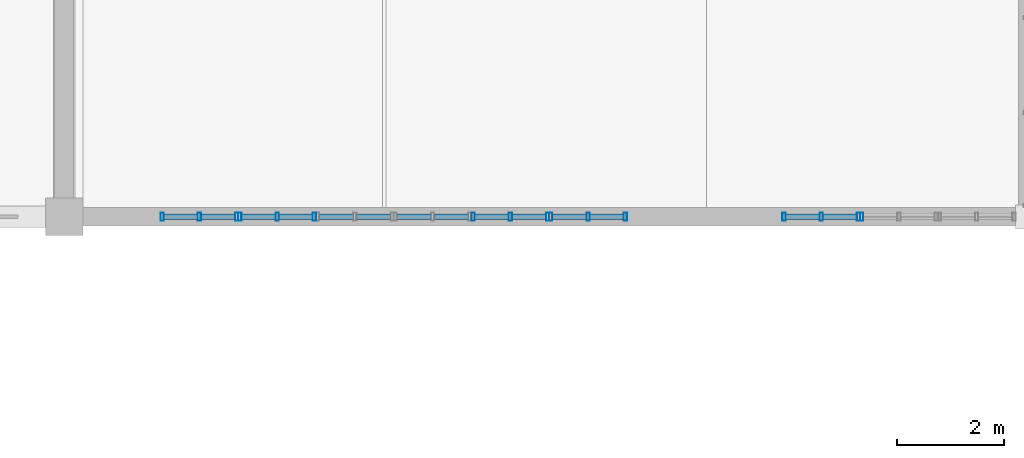
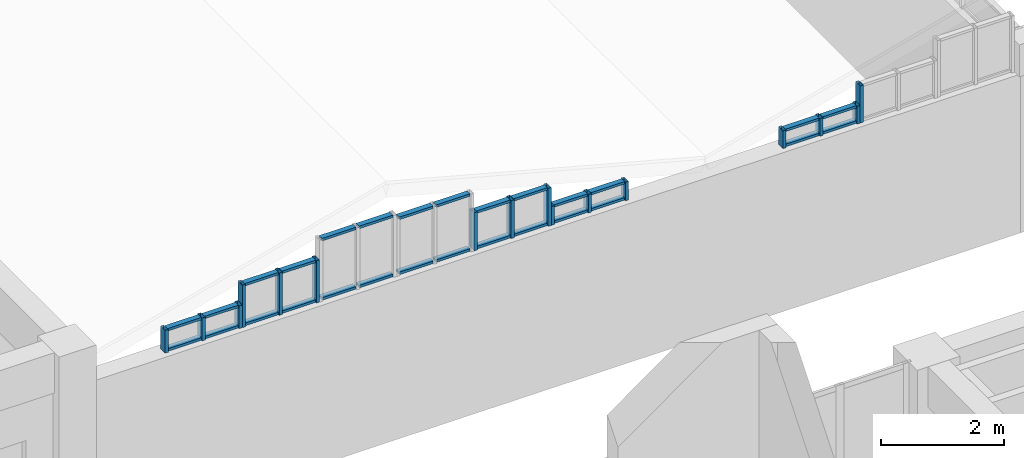
# One storey, part 45 of 92: 44 members, 8 elements without a shape of their own.
"""IFC4 building model written with IfcOpenShell, lengths in metres."""

from ifc_helpers import new_model, si_unit, direction, frame, origin, origin_2d, place, context, subcontext, project, spatial, hollow_rectangle, extrude, material, material_profile, profile_set, type_object, element, aggregate, save


model = new_model("IFC4")

# Units and contexts
model_context = context("Model", 3, precision=1e-05, world=origin(), true_north=direction((0.0, 1.0)))
body_context = subcontext(model_context, "Body", "Model", "MODEL_VIEW")
ifc_project = project(units=[si_unit("LENGTHUNIT", "METRE"), si_unit("AREAUNIT", "SQUARE_METRE"), si_unit("VOLUMEUNIT", "CUBIC_METRE"), si_unit("PLANEANGLEUNIT", "RADIAN"), si_unit("MASSUNIT", "GRAM", prefix="KILO")], contexts=[model_context])

# Site, building, storey
site_placement = place(None, origin())
site = spatial("IfcSite", under=ifc_project, at=site_placement, CompositionType="ELEMENT")
building_placement = place(site_placement, origin())
building = spatial("IfcBuilding", under=site, at=building_placement, Name="Laocheng Heights Fire and Rescue Headquarters", CompositionType="ELEMENT")
storey_placement = place(building_placement, frame((0.0, 0.0, 12.60009765625)))
storey = spatial("IfcBuildingStorey", under=building, at=storey_placement, Name="L03", CompositionType="ELEMENT", Elevation=12.60009765625)

# Curtain wall, members
ifc_material_1 = material(Name="Dark anodised aluminium unitised curtain wall, low-e double glazing", Category="aluminium")
curtain_wall_type_1 = type_object("IfcCurtainWallType", Name="CW 1452 x 453 THEATRE GABLE UNIT", PredefinedType="NOTDEFINED", material=ifc_material_1)
curtain_wall_1_placement = place(storey_placement, origin())
curtain_wall_1 = element("IfcCurtainWall", 1, at=curtain_wall_1_placement, inside=storey, type_object=curtain_wall_type_1, Name="X6-V THEATRE SOUTH GABLE 2", PredefinedType="NOTDEFINED")
ifc_material_2 = material(Name="Dark anodised aluminium 6063-T5 extrusion", Category="aluminium")
ifc_material_profile_1 = material_profile(ifc_material_2, hollow_rectangle(XDim=0.14990234375, YDim=0.06005859375, WallThickness=0.0029296875, at=origin_2d()), Name="AL MULLION 150x60x3 THEATRE GABLE UNIT")
ifc_profile_set_1 = profile_set([ifc_material_profile_1], Name="Dark anodised aluminium 6063-T5 extrusion")
member_type_1 = type_object("IfcMemberType", Name="AL MULLION 150x60x3 THEATRE GABLE UNIT", PredefinedType="MULLION", material=ifc_profile_set_1)
member_1_placement = place(storey_placement, frame((13.83203125, 36.0, 3.158447265625), z_axis=(0.0, 0.0, 1.0), x_axis=(0.0, 1.0, 0.0)))
member_1 = element("IfcMember", 2, at=member_1_placement, type_object=member_type_1, Name="X6-V mullion 1", PredefinedType="MULLION", context=body_context, shape_type="SweptSolid", body=[
    extrude(hollow_rectangle(XDim=0.14990234375, YDim=0.06005859375, WallThickness=0.0029296875, at=origin_2d()), origin(), (0.0, 0.0, 1.0), 0.453369140625),
])
member_2_placement = place(storey_placement, frame((14.528076171875, 36.0, 3.158447265625), z_axis=(0.0, 0.0, 1.0), x_axis=(0.0, 1.0, 0.0)))
member_2 = element("IfcMember", 3, at=member_2_placement, type_object=member_type_1, Name="X6-V mullion 2", PredefinedType="MULLION", context=body_context, shape_type="SweptSolid", body=[
    extrude(hollow_rectangle(XDim=0.14990234375, YDim=0.06005859375, WallThickness=0.0029296875, at=origin_2d()), origin(), (0.0, 0.0, 1.0), 0.453369140625),
])
member_3_placement = place(storey_placement, frame((15.22412109375, 36.0, 3.158447265625), z_axis=(0.0, 0.0, 1.0), x_axis=(0.0, 1.0, 0.0)))
member_3 = element("IfcMember", 4, at=member_3_placement, type_object=member_type_1, Name="X6-V mullion 3", PredefinedType="MULLION", context=body_context, shape_type="SweptSolid", body=[
    extrude(hollow_rectangle(XDim=0.14990234375, YDim=0.06005859375, WallThickness=0.0029296875, at=origin_2d()), origin(), (0.0, 0.0, 1.0), 0.453369140625),
])

ifc_material_3 = material(Name="Dark anodised aluminium unitised curtain wall, low-e double glazing", Category="aluminium")
curtain_wall_type_2 = type_object("IfcCurtainWallType", Name="CW 1452 x 841 THEATRE GABLE UNIT", PredefinedType="NOTDEFINED", material=ifc_material_3)
curtain_wall_2_placement = place(storey_placement, origin())
curtain_wall_2 = element("IfcCurtainWall", 5, at=curtain_wall_2_placement, inside=storey, type_object=curtain_wall_type_2, Name="X7-V THEATRE SOUTH GABLE 3", PredefinedType="NOTDEFINED")
member_4_placement = place(storey_placement, frame((15.2841796875, 36.0, 3.158447265625), z_axis=(0.0, 0.0, 1.0), x_axis=(0.0, 1.0, 0.0)))
member_4 = element("IfcMember", 6, at=member_4_placement, type_object=member_type_1, Name="X7-V mullion 1", PredefinedType="MULLION", context=body_context, shape_type="SweptSolid", body=[
    extrude(hollow_rectangle(XDim=0.14990234375, YDim=0.06005859375, WallThickness=0.0029296875, at=origin_2d()), origin(), (0.0, 0.0, 1.0), 0.840576171875),
])
member_5_placement = place(storey_placement, frame((15.980224609375, 36.0, 3.158447265625), z_axis=(0.0, 0.0, 1.0), x_axis=(0.0, 1.0, 0.0)))
member_5 = element("IfcMember", 7, at=member_5_placement, type_object=member_type_1, Name="X7-V mullion 2", PredefinedType="MULLION", context=body_context, shape_type="SweptSolid", body=[
    extrude(hollow_rectangle(XDim=0.14990234375, YDim=0.06005859375, WallThickness=0.0029296875, at=origin_2d()), origin(), (0.0, 0.0, 1.0), 0.840576171875),
])
member_6_placement = place(storey_placement, frame((16.67626953125, 36.0, 3.158447265625), z_axis=(0.0, 0.0, 1.0), x_axis=(0.0, 1.0, 0.0)))
member_6 = element("IfcMember", 8, at=member_6_placement, type_object=member_type_1, Name="X7-V mullion 3", PredefinedType="MULLION", context=body_context, shape_type="SweptSolid", body=[
    extrude(hollow_rectangle(XDim=0.14990234375, YDim=0.06005859375, WallThickness=0.0029296875, at=origin_2d()), origin(), (0.0, 0.0, 1.0), 0.840576171875),
])

ifc_material_4 = material(Name="Dark anodised aluminium unitised curtain wall, low-e double glazing", Category="aluminium")
curtain_wall_type_3 = type_object("IfcCurtainWallType", Name="CW 1452 x 756 THEATRE GABLE UNIT", PredefinedType="NOTDEFINED", material=ifc_material_4)
curtain_wall_3_placement = place(storey_placement, origin())
curtain_wall_3 = element("IfcCurtainWall", 9, at=curtain_wall_3_placement, inside=storey, type_object=curtain_wall_type_3, Name="X10-V THEATRE SOUTH GABLE 6", PredefinedType="NOTDEFINED")
member_7_placement = place(storey_placement, frame((19.640380859375, 36.0, 3.158447265625), z_axis=(0.0, 0.0, 1.0), x_axis=(0.0, 1.0, 0.0)))
member_7 = element("IfcMember", 10, at=member_7_placement, type_object=member_type_1, Name="X10-V mullion 1", PredefinedType="MULLION", context=body_context, shape_type="SweptSolid", body=[
    extrude(hollow_rectangle(XDim=0.14990234375, YDim=0.06005859375, WallThickness=0.0029296875, at=origin_2d()), origin(), (0.0, 0.0, 1.0), 0.756103515625),
])
member_8_placement = place(storey_placement, frame((20.33642578125, 36.0, 3.158447265625), z_axis=(0.0, 0.0, 1.0), x_axis=(0.0, 1.0, 0.0)))
member_8 = element("IfcMember", 11, at=member_8_placement, type_object=member_type_1, Name="X10-V mullion 2", PredefinedType="MULLION", context=body_context, shape_type="SweptSolid", body=[
    extrude(hollow_rectangle(XDim=0.14990234375, YDim=0.06005859375, WallThickness=0.0029296875, at=origin_2d()), origin(), (0.0, 0.0, 1.0), 0.756103515625),
])
member_9_placement = place(storey_placement, frame((21.032470703125, 36.0, 3.158447265625), z_axis=(0.0, 0.0, 1.0), x_axis=(0.0, 1.0, 0.0)))
member_9 = element("IfcMember", 12, at=member_9_placement, type_object=member_type_1, Name="X10-V mullion 3", PredefinedType="MULLION", context=body_context, shape_type="SweptSolid", body=[
    extrude(hollow_rectangle(XDim=0.14990234375, YDim=0.06005859375, WallThickness=0.0029296875, at=origin_2d()), origin(), (0.0, 0.0, 1.0), 0.756103515625),
])

ifc_material_5 = material(Name="Dark anodised aluminium unitised curtain wall, low-e double glazing", Category="aluminium")
curtain_wall_type_4 = type_object("IfcCurtainWallType", Name="CW 1452 x 369 THEATRE GABLE UNIT", PredefinedType="NOTDEFINED", material=ifc_material_5)
curtain_wall_4_placement = place(storey_placement, origin())
curtain_wall_4 = element("IfcCurtainWall", 13, at=curtain_wall_4_placement, inside=storey, type_object=curtain_wall_type_4, Name="X11-V THEATRE SOUTH GABLE 7", PredefinedType="NOTDEFINED")
member_10_placement = place(storey_placement, frame((21.092529296875, 36.0, 3.158447265625), z_axis=(0.0, 0.0, 1.0), x_axis=(0.0, 1.0, 0.0)))
member_10 = element("IfcMember", 14, at=member_10_placement, type_object=member_type_1, Name="X11-V mullion 1", PredefinedType="MULLION", context=body_context, shape_type="SweptSolid", body=[
    extrude(hollow_rectangle(XDim=0.14990234375, YDim=0.06005859375, WallThickness=0.0029296875, at=origin_2d()), origin(), (0.0, 0.0, 1.0), 0.368896484375),
])
member_11_placement = place(storey_placement, frame((21.78857421875, 36.0, 3.158447265625), z_axis=(0.0, 0.0, 1.0), x_axis=(0.0, 1.0, 0.0)))
member_11 = element("IfcMember", 15, at=member_11_placement, type_object=member_type_1, Name="X11-V mullion 2", PredefinedType="MULLION", context=body_context, shape_type="SweptSolid", body=[
    extrude(hollow_rectangle(XDim=0.14990234375, YDim=0.06005859375, WallThickness=0.0029296875, at=origin_2d()), origin(), (0.0, 0.0, 1.0), 0.368896484375),
])
member_12_placement = place(storey_placement, frame((22.484619140625, 36.0, 3.158447265625), z_axis=(0.0, 0.0, 1.0), x_axis=(0.0, 1.0, 0.0)))
member_12 = element("IfcMember", 16, at=member_12_placement, type_object=member_type_1, Name="X11-V mullion 3", PredefinedType="MULLION", context=body_context, shape_type="SweptSolid", body=[
    extrude(hollow_rectangle(XDim=0.14990234375, YDim=0.06005859375, WallThickness=0.0029296875, at=origin_2d()), origin(), (0.0, 0.0, 1.0), 0.368896484375),
])

ifc_material_6 = material(Name="Dark anodised aluminium unitised curtain wall, low-e double glazing", Category="aluminium")
curtain_wall_type_5 = type_object("IfcCurtainWallType", Name="CW 1452 x 351 THEATRE GABLE UNIT", PredefinedType="NOTDEFINED", material=ifc_material_6)
curtain_wall_5_placement = place(storey_placement, origin())
curtain_wall_5 = element("IfcCurtainWall", 17, at=curtain_wall_5_placement, inside=storey, type_object=curtain_wall_type_5, Name="X12-V THEATRE SOUTH GABLE 10", PredefinedType="NOTDEFINED")
member_13_placement = place(storey_placement, frame((25.44873046875, 36.0, 3.158447265625), z_axis=(0.0, 0.0, 1.0), x_axis=(0.0, 1.0, 0.0)))
member_13 = element("IfcMember", 18, at=member_13_placement, type_object=member_type_1, Name="X12-V mullion 1", PredefinedType="MULLION", context=body_context, shape_type="SweptSolid", body=[
    extrude(hollow_rectangle(XDim=0.14990234375, YDim=0.06005859375, WallThickness=0.0029296875, at=origin_2d()), origin(), (0.0, 0.0, 1.0), 0.35107421875),
])
member_14_placement = place(storey_placement, frame((26.144775390625, 36.0, 3.158447265625), z_axis=(0.0, 0.0, 1.0), x_axis=(0.0, 1.0, 0.0)))
member_14 = element("IfcMember", 19, at=member_14_placement, type_object=member_type_1, Name="X12-V mullion 2", PredefinedType="MULLION", context=body_context, shape_type="SweptSolid", body=[
    extrude(hollow_rectangle(XDim=0.14990234375, YDim=0.06005859375, WallThickness=0.0029296875, at=origin_2d()), origin(), (0.0, 0.0, 1.0), 0.35107421875),
])
member_15_placement = place(storey_placement, frame((26.8408203125, 36.0, 3.158447265625), z_axis=(0.0, 0.0, 1.0), x_axis=(0.0, 1.0, 0.0)))
member_15 = element("IfcMember", 20, at=member_15_placement, type_object=member_type_1, Name="X12-V mullion 3", PredefinedType="MULLION", context=body_context, shape_type="SweptSolid", body=[
    extrude(hollow_rectangle(XDim=0.14990234375, YDim=0.06005859375, WallThickness=0.0029296875, at=origin_2d()), origin(), (0.0, 0.0, 1.0), 0.35107421875),
])

# Curtain wall, member
ifc_material_7 = material(Name="Dark anodised aluminium unitised curtain wall, low-e double glazing", Category="aluminium")
curtain_wall_type_6 = type_object("IfcCurtainWallType", Name="CW 1452 x 738 THEATRE GABLE UNIT", PredefinedType="NOTDEFINED", material=ifc_material_7)
curtain_wall_6_placement = place(storey_placement, origin())
curtain_wall_6 = element("IfcCurtainWall", 21, at=curtain_wall_6_placement, inside=storey, type_object=curtain_wall_type_6, Name="X13-V THEATRE SOUTH GABLE 11", PredefinedType="NOTDEFINED")
member_16_placement = place(storey_placement, frame((26.90087890625, 36.0, 3.158447265625), z_axis=(0.0, 0.0, 1.0), x_axis=(0.0, 1.0, 0.0)))
member_16 = element("IfcMember", 22, at=member_16_placement, type_object=member_type_1, Name="X13-V mullion 1", PredefinedType="MULLION", context=body_context, shape_type="SweptSolid", body=[
    extrude(hollow_rectangle(XDim=0.14990234375, YDim=0.06005859375, WallThickness=0.0029296875, at=origin_2d()), origin(), (0.0, 0.0, 1.0), 0.73828125),
])
aggregate(curtain_wall_6, [member_16])

# Member
ifc_material_8 = material(Name="Dark anodised aluminium 6063-T5 extrusion", Category="aluminium")
ifc_material_profile_2 = material_profile(ifc_material_8, hollow_rectangle(XDim=0.10009765625, YDim=0.050048828125, WallThickness=0.0029296875, at=origin_2d()), Name="AL TRANSOM 100x50x3 THEATRE GABLE UNIT")
ifc_profile_set_2 = profile_set([ifc_material_profile_2], Name="Dark anodised aluminium 6063-T5 extrusion")
member_type_2 = type_object("IfcMemberType", Name="AL TRANSOM 100x50x3 THEATRE GABLE UNIT", PredefinedType="USERDEFINED", material=ifc_profile_set_2)
member_17_placement = place(storey_placement, frame((13.862060546875, 36.0, 3.183349609375), z_axis=(1.0, 0.0, 0.0), x_axis=(0.0, 1.0, 0.0)))
member_17 = element("IfcMember", 23, at=member_17_placement, type_object=member_type_2, Name="X6-V transom 1.1", ObjectType="TRANSOM", PredefinedType="USERDEFINED", context=body_context, shape_type="SweptSolid", body=[
    extrude(hollow_rectangle(XDim=0.10009765625, YDim=0.050048828125, WallThickness=0.0029296875, at=origin_2d()), origin(), (0.0, 0.0, 1.0), 0.635986328125),
])

member_18_placement = place(storey_placement, frame((13.862060546875, 36.0, 3.586669921875), z_axis=(1.0, 0.0, 0.0), x_axis=(0.0, 1.0, 0.0)))
member_18 = element("IfcMember", 24, at=member_18_placement, type_object=member_type_2, Name="X6-V transom 1.2", ObjectType="TRANSOM", PredefinedType="USERDEFINED", context=body_context, shape_type="SweptSolid", body=[
    extrude(hollow_rectangle(XDim=0.10009765625, YDim=0.050048828125, WallThickness=0.0029296875, at=origin_2d()), origin(), (0.0, 0.0, 1.0), 0.635986328125),
])

member_19_placement = place(storey_placement, frame((14.55810546875, 36.0, 3.183349609375), z_axis=(1.0, 0.0, 0.0), x_axis=(0.0, 1.0, 0.0)))
member_19 = element("IfcMember", 25, at=member_19_placement, type_object=member_type_2, Name="X6-V transom 2.1", ObjectType="TRANSOM", PredefinedType="USERDEFINED", context=body_context, shape_type="SweptSolid", body=[
    extrude(hollow_rectangle(XDim=0.10009765625, YDim=0.050048828125, WallThickness=0.0029296875, at=origin_2d()), origin(), (0.0, 0.0, 1.0), 0.635986328125),
])

member_20_placement = place(storey_placement, frame((14.55810546875, 36.0, 3.586669921875), z_axis=(1.0, 0.0, 0.0), x_axis=(0.0, 1.0, 0.0)))
member_20 = element("IfcMember", 26, at=member_20_placement, type_object=member_type_2, Name="X6-V transom 2.2", ObjectType="TRANSOM", PredefinedType="USERDEFINED", context=body_context, shape_type="SweptSolid", body=[
    extrude(hollow_rectangle(XDim=0.10009765625, YDim=0.050048828125, WallThickness=0.0029296875, at=origin_2d()), origin(), (0.0, 0.0, 1.0), 0.635986328125),
])

aggregate(curtain_wall_1, [member_1, member_2, member_3, member_17, member_18, member_19, member_20])

member_21_placement = place(storey_placement, frame((15.314208984375, 36.0, 3.183349609375), z_axis=(1.0, 0.0, 0.0), x_axis=(0.0, 1.0, 0.0)))
member_21 = element("IfcMember", 27, at=member_21_placement, type_object=member_type_2, Name="X7-V transom 1.1", ObjectType="TRANSOM", PredefinedType="USERDEFINED", context=body_context, shape_type="SweptSolid", body=[
    extrude(hollow_rectangle(XDim=0.10009765625, YDim=0.050048828125, WallThickness=0.0029296875, at=origin_2d()), origin(), (0.0, 0.0, 1.0), 0.635986328125),
])

member_22_placement = place(storey_placement, frame((15.314208984375, 36.0, 3.973876953125), z_axis=(1.0, 0.0, 0.0), x_axis=(0.0, 1.0, 0.0)))
member_22 = element("IfcMember", 28, at=member_22_placement, type_object=member_type_2, Name="X7-V transom 1.2", ObjectType="TRANSOM", PredefinedType="USERDEFINED", context=body_context, shape_type="SweptSolid", body=[
    extrude(hollow_rectangle(XDim=0.10009765625, YDim=0.050048828125, WallThickness=0.0029296875, at=origin_2d()), origin(), (0.0, 0.0, 1.0), 0.635986328125),
])

member_23_placement = place(storey_placement, frame((16.01025390625, 36.0, 3.183349609375), z_axis=(1.0, 0.0, 0.0), x_axis=(0.0, 1.0, 0.0)))
member_23 = element("IfcMember", 29, at=member_23_placement, type_object=member_type_2, Name="X7-V transom 2.1", ObjectType="TRANSOM", PredefinedType="USERDEFINED", context=body_context, shape_type="SweptSolid", body=[
    extrude(hollow_rectangle(XDim=0.10009765625, YDim=0.050048828125, WallThickness=0.0029296875, at=origin_2d()), origin(), (0.0, 0.0, 1.0), 0.635986328125),
])

member_24_placement = place(storey_placement, frame((16.01025390625, 36.0, 3.973876953125), z_axis=(1.0, 0.0, 0.0), x_axis=(0.0, 1.0, 0.0)))
member_24 = element("IfcMember", 30, at=member_24_placement, type_object=member_type_2, Name="X7-V transom 2.2", ObjectType="TRANSOM", PredefinedType="USERDEFINED", context=body_context, shape_type="SweptSolid", body=[
    extrude(hollow_rectangle(XDim=0.10009765625, YDim=0.050048828125, WallThickness=0.0029296875, at=origin_2d()), origin(), (0.0, 0.0, 1.0), 0.635986328125),
])

aggregate(curtain_wall_2, [member_4, member_5, member_6, member_21, member_22, member_23, member_24])

# Curtain wall, members
ifc_material_9 = material(Name="Dark anodised aluminium unitised curtain wall, low-e double glazing", Category="aluminium")
curtain_wall_type_7 = type_object("IfcCurtainWallType", Name="CW 1452 x 1228 THEATRE GABLE UNIT", PredefinedType="NOTDEFINED", material=ifc_material_9)
curtain_wall_7_placement = place(storey_placement, origin())
curtain_wall_7 = element("IfcCurtainWall", 31, at=curtain_wall_7_placement, inside=storey, type_object=curtain_wall_type_7, Name="X8-V THEATRE SOUTH GABLE 4", PredefinedType="NOTDEFINED")
member_25_placement = place(storey_placement, frame((16.76611328125, 36.0, 3.183349609375), z_axis=(1.0, 0.0, 0.0), x_axis=(0.0, 1.0, 0.0)))
member_25 = element("IfcMember", 32, at=member_25_placement, type_object=member_type_2, Name="X8-V transom 1.1", ObjectType="TRANSOM", PredefinedType="USERDEFINED", context=body_context, shape_type="SweptSolid", body=[
    extrude(hollow_rectangle(XDim=0.10009765625, YDim=0.050048828125, WallThickness=0.0029296875, at=origin_2d()), origin(), (0.0, 0.0, 1.0), 0.63623046875),
])
member_26_placement = place(storey_placement, frame((16.76611328125, 36.0, 4.361083984375), z_axis=(1.0, 0.0, 0.0), x_axis=(0.0, 1.0, 0.0)))
member_26 = element("IfcMember", 33, at=member_26_placement, type_object=member_type_2, Name="X8-V transom 1.2", ObjectType="TRANSOM", PredefinedType="USERDEFINED", context=body_context, shape_type="SweptSolid", body=[
    extrude(hollow_rectangle(XDim=0.10009765625, YDim=0.050048828125, WallThickness=0.0029296875, at=origin_2d()), origin(), (0.0, 0.0, 1.0), 0.63623046875),
])
member_27_placement = place(storey_placement, frame((17.462158203125, 36.0, 3.183349609375), z_axis=(1.0, 0.0, 0.0), x_axis=(0.0, 1.0, 0.0)))
member_27 = element("IfcMember", 34, at=member_27_placement, type_object=member_type_2, Name="X8-V transom 2.1", ObjectType="TRANSOM", PredefinedType="USERDEFINED", context=body_context, shape_type="SweptSolid", body=[
    extrude(hollow_rectangle(XDim=0.10009765625, YDim=0.050048828125, WallThickness=0.0029296875, at=origin_2d()), origin(), (0.0, 0.0, 1.0), 0.63623046875),
])
member_28_placement = place(storey_placement, frame((17.462158203125, 36.0, 4.361083984375), z_axis=(1.0, 0.0, 0.0), x_axis=(0.0, 1.0, 0.0)))
member_28 = element("IfcMember", 35, at=member_28_placement, type_object=member_type_2, Name="X8-V transom 2.2", ObjectType="TRANSOM", PredefinedType="USERDEFINED", context=body_context, shape_type="SweptSolid", body=[
    extrude(hollow_rectangle(XDim=0.10009765625, YDim=0.050048828125, WallThickness=0.0029296875, at=origin_2d()), origin(), (0.0, 0.0, 1.0), 0.63623046875),
])
aggregate(curtain_wall_7, [member_25, member_26, member_27, member_28])

ifc_material_10 = material(Name="Dark anodised aluminium unitised curtain wall, low-e double glazing", Category="aluminium")
curtain_wall_type_8 = type_object("IfcCurtainWallType", Name="CW 1452 x 1143 THEATRE GABLE UNIT", PredefinedType="NOTDEFINED", material=ifc_material_10)
curtain_wall_8_placement = place(storey_placement, origin())
curtain_wall_8 = element("IfcCurtainWall", 36, at=curtain_wall_8_placement, inside=storey, type_object=curtain_wall_type_8, Name="X9-V THEATRE SOUTH GABLE 5", PredefinedType="NOTDEFINED")
member_29_placement = place(storey_placement, frame((18.21826171875, 36.0, 3.183349609375), z_axis=(1.0, 0.0, 0.0), x_axis=(0.0, 1.0, 0.0)))
member_29 = element("IfcMember", 37, at=member_29_placement, type_object=member_type_2, Name="X9-V transom 1.1", ObjectType="TRANSOM", PredefinedType="USERDEFINED", context=body_context, shape_type="SweptSolid", body=[
    extrude(hollow_rectangle(XDim=0.10009765625, YDim=0.050048828125, WallThickness=0.0029296875, at=origin_2d()), origin(), (0.0, 0.0, 1.0), 0.635986328125),
])
member_30_placement = place(storey_placement, frame((18.21826171875, 36.0, 4.276611328125), z_axis=(1.0, 0.0, 0.0), x_axis=(0.0, 1.0, 0.0)))
member_30 = element("IfcMember", 38, at=member_30_placement, type_object=member_type_2, Name="X9-V transom 1.2", ObjectType="TRANSOM", PredefinedType="USERDEFINED", context=body_context, shape_type="SweptSolid", body=[
    extrude(hollow_rectangle(XDim=0.10009765625, YDim=0.050048828125, WallThickness=0.0029296875, at=origin_2d()), origin(), (0.0, 0.0, 1.0), 0.635986328125),
])
member_31_placement = place(storey_placement, frame((18.914306640625, 36.0, 3.183349609375), z_axis=(1.0, 0.0, 0.0), x_axis=(0.0, 1.0, 0.0)))
member_31 = element("IfcMember", 39, at=member_31_placement, type_object=member_type_2, Name="X9-V transom 2.1", ObjectType="TRANSOM", PredefinedType="USERDEFINED", context=body_context, shape_type="SweptSolid", body=[
    extrude(hollow_rectangle(XDim=0.10009765625, YDim=0.050048828125, WallThickness=0.0029296875, at=origin_2d()), origin(), (0.0, 0.0, 1.0), 0.635986328125),
])
member_32_placement = place(storey_placement, frame((18.914306640625, 36.0, 4.276611328125), z_axis=(1.0, 0.0, 0.0), x_axis=(0.0, 1.0, 0.0)))
member_32 = element("IfcMember", 40, at=member_32_placement, type_object=member_type_2, Name="X9-V transom 2.2", ObjectType="TRANSOM", PredefinedType="USERDEFINED", context=body_context, shape_type="SweptSolid", body=[
    extrude(hollow_rectangle(XDim=0.10009765625, YDim=0.050048828125, WallThickness=0.0029296875, at=origin_2d()), origin(), (0.0, 0.0, 1.0), 0.635986328125),
])
aggregate(curtain_wall_8, [member_29, member_30, member_31, member_32])

# Member
member_33_placement = place(storey_placement, frame((19.67041015625, 36.0, 3.183349609375), z_axis=(1.0, 0.0, 0.0), x_axis=(0.0, 1.0, 0.0)))
member_33 = element("IfcMember", 41, at=member_33_placement, type_object=member_type_2, Name="X10-V transom 1.1", ObjectType="TRANSOM", PredefinedType="USERDEFINED", context=body_context, shape_type="SweptSolid", body=[
    extrude(hollow_rectangle(XDim=0.10009765625, YDim=0.050048828125, WallThickness=0.0029296875, at=origin_2d()), origin(), (0.0, 0.0, 1.0), 0.635986328125),
])

member_34_placement = place(storey_placement, frame((19.67041015625, 36.0, 3.889404296875), z_axis=(1.0, 0.0, 0.0), x_axis=(0.0, 1.0, 0.0)))
member_34 = element("IfcMember", 42, at=member_34_placement, type_object=member_type_2, Name="X10-V transom 1.2", ObjectType="TRANSOM", PredefinedType="USERDEFINED", context=body_context, shape_type="SweptSolid", body=[
    extrude(hollow_rectangle(XDim=0.10009765625, YDim=0.050048828125, WallThickness=0.0029296875, at=origin_2d()), origin(), (0.0, 0.0, 1.0), 0.635986328125),
])

member_35_placement = place(storey_placement, frame((20.366455078125, 36.0, 3.183349609375), z_axis=(1.0, 0.0, 0.0), x_axis=(0.0, 1.0, 0.0)))
member_35 = element("IfcMember", 43, at=member_35_placement, type_object=member_type_2, Name="X10-V transom 2.1", ObjectType="TRANSOM", PredefinedType="USERDEFINED", context=body_context, shape_type="SweptSolid", body=[
    extrude(hollow_rectangle(XDim=0.10009765625, YDim=0.050048828125, WallThickness=0.0029296875, at=origin_2d()), origin(), (0.0, 0.0, 1.0), 0.635986328125),
])

member_36_placement = place(storey_placement, frame((20.366455078125, 36.0, 3.889404296875), z_axis=(1.0, 0.0, 0.0), x_axis=(0.0, 1.0, 0.0)))
member_36 = element("IfcMember", 44, at=member_36_placement, type_object=member_type_2, Name="X10-V transom 2.2", ObjectType="TRANSOM", PredefinedType="USERDEFINED", context=body_context, shape_type="SweptSolid", body=[
    extrude(hollow_rectangle(XDim=0.10009765625, YDim=0.050048828125, WallThickness=0.0029296875, at=origin_2d()), origin(), (0.0, 0.0, 1.0), 0.635986328125),
])

aggregate(curtain_wall_3, [member_7, member_8, member_9, member_33, member_34, member_35, member_36])

member_37_placement = place(storey_placement, frame((21.12255859375, 36.0, 3.183349609375), z_axis=(1.0, 0.0, 0.0), x_axis=(0.0, 1.0, 0.0)))
member_37 = element("IfcMember", 45, at=member_37_placement, type_object=member_type_2, Name="X11-V transom 1.1", ObjectType="TRANSOM", PredefinedType="USERDEFINED", context=body_context, shape_type="SweptSolid", body=[
    extrude(hollow_rectangle(XDim=0.10009765625, YDim=0.050048828125, WallThickness=0.0029296875, at=origin_2d()), origin(), (0.0, 0.0, 1.0), 0.635986328125),
])

member_38_placement = place(storey_placement, frame((21.12255859375, 36.0, 3.502197265625), z_axis=(1.0, 0.0, 0.0), x_axis=(0.0, 1.0, 0.0)))
member_38 = element("IfcMember", 46, at=member_38_placement, type_object=member_type_2, Name="X11-V transom 1.2", ObjectType="TRANSOM", PredefinedType="USERDEFINED", context=body_context, shape_type="SweptSolid", body=[
    extrude(hollow_rectangle(XDim=0.10009765625, YDim=0.050048828125, WallThickness=0.0029296875, at=origin_2d()), origin(), (0.0, 0.0, 1.0), 0.635986328125),
])

member_39_placement = place(storey_placement, frame((21.818603515625, 36.0, 3.183349609375), z_axis=(1.0, 0.0, 0.0), x_axis=(0.0, 1.0, 0.0)))
member_39 = element("IfcMember", 47, at=member_39_placement, type_object=member_type_2, Name="X11-V transom 2.1", ObjectType="TRANSOM", PredefinedType="USERDEFINED", context=body_context, shape_type="SweptSolid", body=[
    extrude(hollow_rectangle(XDim=0.10009765625, YDim=0.050048828125, WallThickness=0.0029296875, at=origin_2d()), origin(), (0.0, 0.0, 1.0), 0.635986328125),
])

member_40_placement = place(storey_placement, frame((21.818603515625, 36.0, 3.502197265625), z_axis=(1.0, 0.0, 0.0), x_axis=(0.0, 1.0, 0.0)))
member_40 = element("IfcMember", 48, at=member_40_placement, type_object=member_type_2, Name="X11-V transom 2.2", ObjectType="TRANSOM", PredefinedType="USERDEFINED", context=body_context, shape_type="SweptSolid", body=[
    extrude(hollow_rectangle(XDim=0.10009765625, YDim=0.050048828125, WallThickness=0.0029296875, at=origin_2d()), origin(), (0.0, 0.0, 1.0), 0.635986328125),
])

aggregate(curtain_wall_4, [member_10, member_11, member_12, member_37, member_38, member_39, member_40])

member_41_placement = place(storey_placement, frame((25.478759765625, 36.0, 3.183349609375), z_axis=(1.0, 0.0, 0.0), x_axis=(0.0, 1.0, 0.0)))
member_41 = element("IfcMember", 49, at=member_41_placement, type_object=member_type_2, Name="X12-V transom 1.1", ObjectType="TRANSOM", PredefinedType="USERDEFINED", context=body_context, shape_type="SweptSolid", body=[
    extrude(hollow_rectangle(XDim=0.10009765625, YDim=0.050048828125, WallThickness=0.0029296875, at=origin_2d()), origin(), (0.0, 0.0, 1.0), 0.635986328125),
])

member_42_placement = place(storey_placement, frame((25.478759765625, 36.0, 3.484619140625), z_axis=(1.0, 0.0, 0.0), x_axis=(0.0, 1.0, 0.0)))
member_42 = element("IfcMember", 50, at=member_42_placement, type_object=member_type_2, Name="X12-V transom 1.2", ObjectType="TRANSOM", PredefinedType="USERDEFINED", context=body_context, shape_type="SweptSolid", body=[
    extrude(hollow_rectangle(XDim=0.10009765625, YDim=0.050048828125, WallThickness=0.0029296875, at=origin_2d()), origin(), (0.0, 0.0, 1.0), 0.635986328125),
])

member_43_placement = place(storey_placement, frame((26.1748046875, 36.0, 3.183349609375), z_axis=(1.0, 0.0, 0.0), x_axis=(0.0, 1.0, 0.0)))
member_43 = element("IfcMember", 51, at=member_43_placement, type_object=member_type_2, Name="X12-V transom 2.1", ObjectType="TRANSOM", PredefinedType="USERDEFINED", context=body_context, shape_type="SweptSolid", body=[
    extrude(hollow_rectangle(XDim=0.10009765625, YDim=0.050048828125, WallThickness=0.0029296875, at=origin_2d()), origin(), (0.0, 0.0, 1.0), 0.635986328125),
])

member_44_placement = place(storey_placement, frame((26.1748046875, 36.0, 3.484619140625), z_axis=(1.0, 0.0, 0.0), x_axis=(0.0, 1.0, 0.0)))
member_44 = element("IfcMember", 52, at=member_44_placement, type_object=member_type_2, Name="X12-V transom 2.2", ObjectType="TRANSOM", PredefinedType="USERDEFINED", context=body_context, shape_type="SweptSolid", body=[
    extrude(hollow_rectangle(XDim=0.10009765625, YDim=0.050048828125, WallThickness=0.0029296875, at=origin_2d()), origin(), (0.0, 0.0, 1.0), 0.635986328125),
])

aggregate(curtain_wall_5, [member_13, member_14, member_15, member_41, member_42, member_43, member_44])

save(model, "model.ifc")
